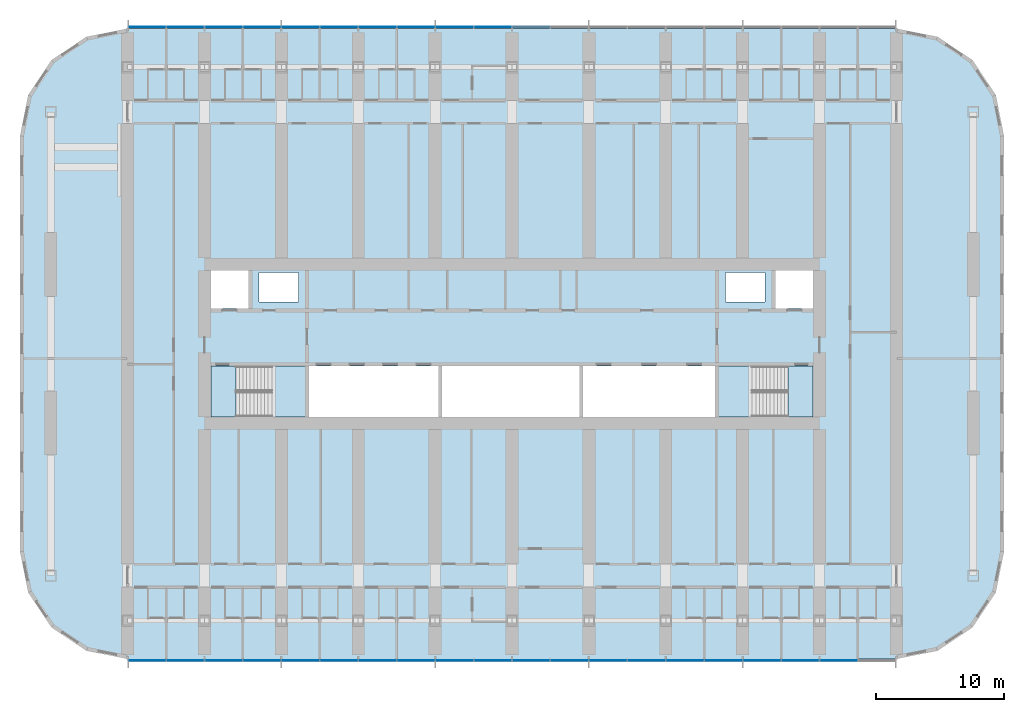
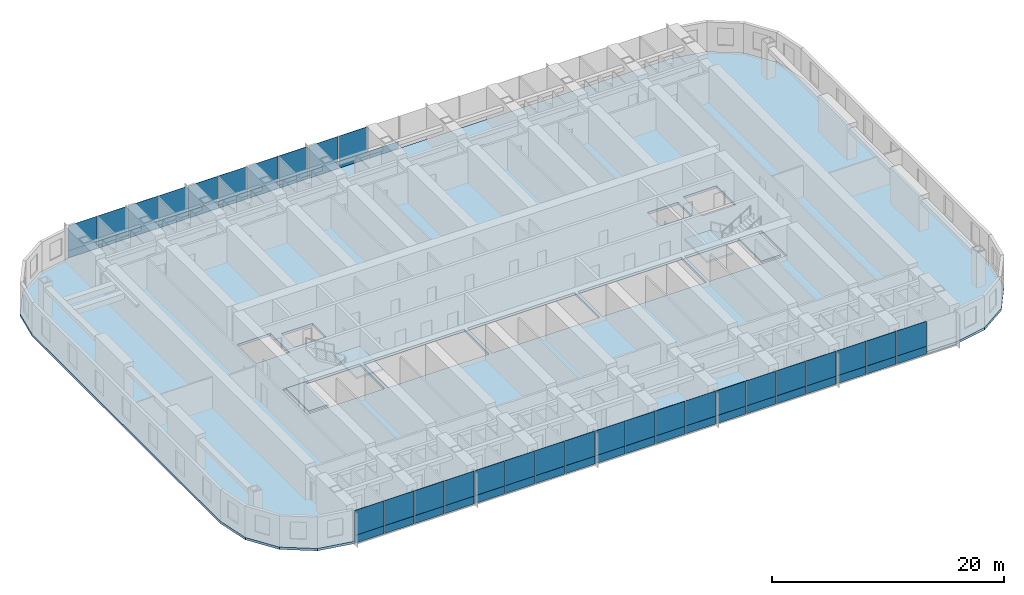
# One storey, part 8 of 24: 59 plates, 5 slabs, 4 elements without a shape of their own.
"""IFC4 building model written with IfcOpenShell, lengths in metres."""

from ifc_helpers import new_model, si_unit, direction, frame, origin, origin_2d, place, context, subcontext, project, spatial, polyline, rectangle, outline, extrude, material, layer, layer_set, type_object, element, aggregate, save


model = new_model("IFC4")

# Units and contexts
model_context = context("Model", 3, precision=1e-05, world=origin(), true_north=direction((0.0, 1.0)))
body_context = subcontext(model_context, "Body", "Model", "MODEL_VIEW")
ifc_project = project(units=[si_unit("LENGTHUNIT", "METRE"), si_unit("AREAUNIT", "SQUARE_METRE"), si_unit("VOLUMEUNIT", "CUBIC_METRE"), si_unit("PLANEANGLEUNIT", "RADIAN"), si_unit("MASSUNIT", "GRAM", prefix="KILO")], contexts=[model_context])

# Site, building, storey
site_placement = place(None, origin())
site = spatial("IfcSite", under=ifc_project, at=site_placement, CompositionType="ELEMENT")
building_placement = place(site_placement, origin())
building = spatial("IfcBuilding", under=site, at=building_placement, Name="Orbita Commons", CompositionType="ELEMENT")
storey_placement = place(building_placement, frame((0.0, 0.0, 35.199951171875)))
storey = spatial("IfcBuildingStorey", under=building, at=storey_placement, Name="L08", CompositionType="ELEMENT", Elevation=35.199951171875)

# Slab
ifc_material_1 = material(Name="Concrete C40/50", Category="concrete")
ifc_layer_1 = layer(ifc_material_1, 0.25)
ifc_layer_set_1 = layer_set([ifc_layer_1], Name="Concrete C40/50")
slab_type_1 = type_object("IfcSlabType", Name="Floor slab 250", PredefinedType="FLOOR", material=ifc_layer_set_1)
slab_1_placement = place(storey_placement, frame((0.0, 0.0, -0.25)))
element("IfcSlab", 1, at=slab_1_placement, inside=storey, type_object=slab_type_1, Name="Floor slab L08", PredefinedType="FLOOR", context=body_context, shape_type="SweptSolid", body=[
    extrude(outline(polyline([(72.0, 7.39990234375), (75.214599609375, 8.039306640625), (77.939697265625, 9.8603515625), (79.760498046875, 12.58544921875), (80.39990234375, 15.800048828125), (80.39990234375, 48.199951171875), (79.760498046875, 51.41455078125), (77.939697265625, 54.1396484375), (75.214599609375, 55.960693359375), (72.0, 56.60009765625), (12.0, 56.60009765625), (8.785400390625, 55.960693359375), (6.060302734375, 54.1396484375), (4.239501953125, 51.41455078125), (3.60009765625, 48.199951171875), (3.60009765625, 15.800048828125), (4.239501953125, 12.58544921875), (6.060302734375, 9.8603515625), (8.785400390625, 8.039306640625), (12.0, 7.39990234375), (72.0, 7.39990234375)]), holes=[polyline([(18.14990234375, 25.949951171875), (25.85009765625, 25.949951171875), (25.85009765625, 30.25), (18.14990234375, 30.25), (18.14990234375, 25.949951171875)]), polyline([(58.14990234375, 25.949951171875), (65.85009765625, 25.949951171875), (65.85009765625, 30.25), (58.14990234375, 30.25), (58.14990234375, 25.949951171875)]), polyline([(18.14990234375, 34.75), (21.449951171875, 34.75), (21.449951171875, 38.050048828125), (18.14990234375, 38.050048828125), (18.14990234375, 34.75)]), polyline([(62.550048828125, 34.75), (65.85009765625, 34.75), (65.85009765625, 38.050048828125), (62.550048828125, 38.050048828125), (62.550048828125, 34.75)]), polyline([(22.25, 35.25), (25.35009765625, 35.25), (25.35009765625, 37.550048828125), (22.25, 37.550048828125), (22.25, 35.25)]), polyline([(58.64990234375, 35.25), (61.75, 35.25), (61.75, 37.550048828125), (58.64990234375, 37.550048828125), (58.64990234375, 35.25)]), polyline([(26.14990234375, 25.949951171875), (36.25, 25.949951171875), (36.25, 30.25), (26.14990234375, 30.25), (26.14990234375, 25.949951171875)]), polyline([(36.550048828125, 25.949951171875), (47.25, 25.949951171875), (47.25, 30.25), (36.550048828125, 30.25), (36.550048828125, 25.949951171875)]), polyline([(47.550048828125, 25.949951171875), (57.85009765625, 25.949951171875), (57.85009765625, 30.25), (47.550048828125, 30.25), (47.550048828125, 25.949951171875)])]), origin(), (0.0, 0.0, 1.0), 0.25),
])

# Curtain wall, plates
ifc_material_2 = material(Name="Anodised aluminium frame, pale silver", Category="aluminium")
curtain_wall_type = type_object("IfcCurtainWallType", Name="Unitised curtain wall CW-T, vision and spandrel", PredefinedType="NOTDEFINED", material=ifc_material_2)
curtain_wall_1_placement = place(storey_placement, origin())
curtain_wall_1 = element("IfcCurtainWall", 2, at=curtain_wall_1_placement, inside=storey, type_object=curtain_wall_type, Name="Curtain wall south L08", PredefinedType="NOTDEFINED")
ifc_material_3 = material(Name="Anodised aluminium sheet on mineral wool", Category="aluminium")
ifc_layer_2 = layer(ifc_material_3, 0.050048828125)
ifc_layer_set_2 = layer_set([ifc_layer_2], Name="Anodised aluminium sheet on mineral wool")
plate_type_1 = type_object("IfcPlateType", Name="Spandrel panel, pale aluminium over insulation 50", PredefinedType="CURTAIN_PANEL", material=ifc_layer_set_2)
plate_1_placement = place(storey_placement, frame((13.52001953125, 7.2900390625, -0.14990234375), z_axis=(0.0, 0.0, 1.0), x_axis=(1.0, 0.0, 0.0)))
plate_1 = element("IfcPlate", 3, at=plate_1_placement, type_object=plate_type_1, Name="Panel 1.1 CW-L08-S", PredefinedType="CURTAIN_PANEL", context=body_context, shape_type="SweptSolid", body=[
    extrude(rectangle(XDim=2.8798828125, YDim=0.050048828125, at=origin_2d()), origin(), (0.0, 0.0, 1.0), 0.822998046875),
])
plate_2_placement = place(storey_placement, frame((16.5, 7.2900390625, -0.14990234375), z_axis=(0.0, 0.0, 1.0), x_axis=(1.0, 0.0, 0.0)))
plate_2 = element("IfcPlate", 4, at=plate_2_placement, type_object=plate_type_1, Name="Panel 2.1 CW-L08-S", PredefinedType="CURTAIN_PANEL", context=body_context, shape_type="SweptSolid", body=[
    extrude(rectangle(XDim=2.919921875, YDim=0.050048828125, at=origin_2d()), origin(), (0.0, 0.0, 1.0), 0.822998046875),
])
plate_3_placement = place(storey_placement, frame((19.5, 7.2900390625, -0.14990234375), z_axis=(0.0, 0.0, 1.0), x_axis=(1.0, 0.0, 0.0)))
plate_3 = element("IfcPlate", 5, at=plate_3_placement, type_object=plate_type_1, Name="Panel 3.1 CW-L08-S", PredefinedType="CURTAIN_PANEL", context=body_context, shape_type="SweptSolid", body=[
    extrude(rectangle(XDim=2.919921875, YDim=0.050048828125, at=origin_2d()), origin(), (0.0, 0.0, 1.0), 0.822998046875),
])
plate_4_placement = place(storey_placement, frame((22.5, 7.2900390625, -0.14990234375), z_axis=(0.0, 0.0, 1.0), x_axis=(1.0, 0.0, 0.0)))
plate_4 = element("IfcPlate", 6, at=plate_4_placement, type_object=plate_type_1, Name="Panel 4.1 CW-L08-S", PredefinedType="CURTAIN_PANEL", context=body_context, shape_type="SweptSolid", body=[
    extrude(rectangle(XDim=2.919921875, YDim=0.050048828125, at=origin_2d()), origin(), (0.0, 0.0, 1.0), 0.822998046875),
])
plate_5_placement = place(storey_placement, frame((25.5, 7.2900390625, -0.14990234375), z_axis=(0.0, 0.0, 1.0), x_axis=(1.0, 0.0, 0.0)))
plate_5 = element("IfcPlate", 7, at=plate_5_placement, type_object=plate_type_1, Name="Panel 5.1 CW-L08-S", PredefinedType="CURTAIN_PANEL", context=body_context, shape_type="SweptSolid", body=[
    extrude(rectangle(XDim=2.919921875, YDim=0.050048828125, at=origin_2d()), origin(), (0.0, 0.0, 1.0), 0.822998046875),
])
plate_6_placement = place(storey_placement, frame((28.5, 7.2900390625, -0.14990234375), z_axis=(0.0, 0.0, 1.0), x_axis=(1.0, 0.0, 0.0)))
plate_6 = element("IfcPlate", 8, at=plate_6_placement, type_object=plate_type_1, Name="Panel 6.1 CW-L08-S", PredefinedType="CURTAIN_PANEL", context=body_context, shape_type="SweptSolid", body=[
    extrude(rectangle(XDim=2.919921875, YDim=0.050048828125, at=origin_2d()), origin(), (0.0, 0.0, 1.0), 0.822998046875),
])
plate_7_placement = place(storey_placement, frame((31.5, 7.2900390625, -0.14990234375), z_axis=(0.0, 0.0, 1.0), x_axis=(1.0, 0.0, 0.0)))
plate_7 = element("IfcPlate", 9, at=plate_7_placement, type_object=plate_type_1, Name="Panel 7.1 CW-L08-S", PredefinedType="CURTAIN_PANEL", context=body_context, shape_type="SweptSolid", body=[
    extrude(rectangle(XDim=2.919921875, YDim=0.050048828125, at=origin_2d()), origin(), (0.0, 0.0, 1.0), 0.822998046875),
])
plate_8_placement = place(storey_placement, frame((34.5, 7.2900390625, -0.14990234375), z_axis=(0.0, 0.0, 1.0), x_axis=(1.0, 0.0, 0.0)))
plate_8 = element("IfcPlate", 10, at=plate_8_placement, type_object=plate_type_1, Name="Panel 8.1 CW-L08-S", PredefinedType="CURTAIN_PANEL", context=body_context, shape_type="SweptSolid", body=[
    extrude(rectangle(XDim=2.919921875, YDim=0.050048828125, at=origin_2d()), origin(), (0.0, 0.0, 1.0), 0.822998046875),
])
plate_9_placement = place(storey_placement, frame((37.5, 7.2900390625, -0.14990234375), z_axis=(0.0, 0.0, 1.0), x_axis=(1.0, 0.0, 0.0)))
plate_9 = element("IfcPlate", 11, at=plate_9_placement, type_object=plate_type_1, Name="Panel 9.1 CW-L08-S", PredefinedType="CURTAIN_PANEL", context=body_context, shape_type="SweptSolid", body=[
    extrude(rectangle(XDim=2.919921875, YDim=0.050048828125, at=origin_2d()), origin(), (0.0, 0.0, 1.0), 0.822998046875),
])
plate_10_placement = place(storey_placement, frame((40.5, 7.2900390625, -0.14990234375), z_axis=(0.0, 0.0, 1.0), x_axis=(1.0, 0.0, 0.0)))
plate_10 = element("IfcPlate", 12, at=plate_10_placement, type_object=plate_type_1, Name="Panel 10.1 CW-L08-S", PredefinedType="CURTAIN_PANEL", context=body_context, shape_type="SweptSolid", body=[
    extrude(rectangle(XDim=2.919921875, YDim=0.050048828125, at=origin_2d()), origin(), (0.0, 0.0, 1.0), 0.822998046875),
])
plate_11_placement = place(storey_placement, frame((43.5, 7.2900390625, -0.14990234375), z_axis=(0.0, 0.0, 1.0), x_axis=(1.0, 0.0, 0.0)))
plate_11 = element("IfcPlate", 13, at=plate_11_placement, type_object=plate_type_1, Name="Panel 11.1 CW-L08-S", PredefinedType="CURTAIN_PANEL", context=body_context, shape_type="SweptSolid", body=[
    extrude(rectangle(XDim=2.919921875, YDim=0.050048828125, at=origin_2d()), origin(), (0.0, 0.0, 1.0), 0.822998046875),
])
plate_12_placement = place(storey_placement, frame((46.5, 7.2900390625, -0.14990234375), z_axis=(0.0, 0.0, 1.0), x_axis=(1.0, 0.0, 0.0)))
plate_12 = element("IfcPlate", 14, at=plate_12_placement, type_object=plate_type_1, Name="Panel 12.1 CW-L08-S", PredefinedType="CURTAIN_PANEL", context=body_context, shape_type="SweptSolid", body=[
    extrude(rectangle(XDim=2.919921875, YDim=0.050048828125, at=origin_2d()), origin(), (0.0, 0.0, 1.0), 0.822998046875),
])
plate_13_placement = place(storey_placement, frame((49.5, 7.2900390625, -0.14990234375), z_axis=(0.0, 0.0, 1.0), x_axis=(1.0, 0.0, 0.0)))
plate_13 = element("IfcPlate", 15, at=plate_13_placement, type_object=plate_type_1, Name="Panel 13.1 CW-L08-S", PredefinedType="CURTAIN_PANEL", context=body_context, shape_type="SweptSolid", body=[
    extrude(rectangle(XDim=2.919921875, YDim=0.050048828125, at=origin_2d()), origin(), (0.0, 0.0, 1.0), 0.822998046875),
])
plate_14_placement = place(storey_placement, frame((52.5, 7.2900390625, -0.14990234375), z_axis=(0.0, 0.0, 1.0), x_axis=(1.0, 0.0, 0.0)))
plate_14 = element("IfcPlate", 16, at=plate_14_placement, type_object=plate_type_1, Name="Panel 14.1 CW-L08-S", PredefinedType="CURTAIN_PANEL", context=body_context, shape_type="SweptSolid", body=[
    extrude(rectangle(XDim=2.919921875, YDim=0.050048828125, at=origin_2d()), origin(), (0.0, 0.0, 1.0), 0.822998046875),
])
plate_15_placement = place(storey_placement, frame((55.5, 7.2900390625, -0.14990234375), z_axis=(0.0, 0.0, 1.0), x_axis=(1.0, 0.0, 0.0)))
plate_15 = element("IfcPlate", 17, at=plate_15_placement, type_object=plate_type_1, Name="Panel 15.1 CW-L08-S", PredefinedType="CURTAIN_PANEL", context=body_context, shape_type="SweptSolid", body=[
    extrude(rectangle(XDim=2.919921875, YDim=0.050048828125, at=origin_2d()), origin(), (0.0, 0.0, 1.0), 0.822998046875),
])
plate_16_placement = place(storey_placement, frame((58.5, 7.2900390625, -0.14990234375), z_axis=(0.0, 0.0, 1.0), x_axis=(1.0, 0.0, 0.0)))
plate_16 = element("IfcPlate", 18, at=plate_16_placement, type_object=plate_type_1, Name="Panel 16.1 CW-L08-S", PredefinedType="CURTAIN_PANEL", context=body_context, shape_type="SweptSolid", body=[
    extrude(rectangle(XDim=2.919921875, YDim=0.050048828125, at=origin_2d()), origin(), (0.0, 0.0, 1.0), 0.822998046875),
])
plate_17_placement = place(storey_placement, frame((61.5, 7.2900390625, -0.14990234375), z_axis=(0.0, 0.0, 1.0), x_axis=(1.0, 0.0, 0.0)))
plate_17 = element("IfcPlate", 19, at=plate_17_placement, type_object=plate_type_1, Name="Panel 17.1 CW-L08-S", PredefinedType="CURTAIN_PANEL", context=body_context, shape_type="SweptSolid", body=[
    extrude(rectangle(XDim=2.919921875, YDim=0.050048828125, at=origin_2d()), origin(), (0.0, 0.0, 1.0), 0.822998046875),
])
plate_18_placement = place(storey_placement, frame((64.5, 7.2900390625, -0.14990234375), z_axis=(0.0, 0.0, 1.0), x_axis=(1.0, 0.0, 0.0)))
plate_18 = element("IfcPlate", 20, at=plate_18_placement, type_object=plate_type_1, Name="Panel 18.1 CW-L08-S", PredefinedType="CURTAIN_PANEL", context=body_context, shape_type="SweptSolid", body=[
    extrude(rectangle(XDim=2.919921875, YDim=0.050048828125, at=origin_2d()), origin(), (0.0, 0.0, 1.0), 0.822998046875),
])
plate_19_placement = place(storey_placement, frame((67.5, 7.2900390625, -0.14990234375), z_axis=(0.0, 0.0, 1.0), x_axis=(1.0, 0.0, 0.0)))
plate_19 = element("IfcPlate", 21, at=plate_19_placement, type_object=plate_type_1, Name="Panel 19.1 CW-L08-S", PredefinedType="CURTAIN_PANEL", context=body_context, shape_type="SweptSolid", body=[
    extrude(rectangle(XDim=2.919921875, YDim=0.050048828125, at=origin_2d()), origin(), (0.0, 0.0, 1.0), 0.822998046875),
])

curtain_wall_2_placement = place(storey_placement, origin())
curtain_wall_2 = element("IfcCurtainWall", 22, at=curtain_wall_2_placement, inside=storey, type_object=curtain_wall_type, Name="Curtain wall north L08", PredefinedType="NOTDEFINED")
plate_20_placement = place(storey_placement, frame((43.5, 56.7099609375, -0.14990234375), z_axis=(0.0, 0.0, 1.0), x_axis=(-1.0, 0.0, 0.0)))
plate_20 = element("IfcPlate", 23, at=plate_20_placement, type_object=plate_type_1, Name="Panel 10.1 CW-L08-N", PredefinedType="CURTAIN_PANEL", context=body_context, shape_type="SweptSolid", body=[
    extrude(rectangle(XDim=2.919921875, YDim=0.050048828125, at=origin_2d()), origin(), (0.0, 0.0, 1.0), 0.822998046875),
])
plate_21_placement = place(storey_placement, frame((40.5, 56.7099609375, -0.14990234375), z_axis=(0.0, 0.0, 1.0), x_axis=(-1.0, 0.0, 0.0)))
plate_21 = element("IfcPlate", 24, at=plate_21_placement, type_object=plate_type_1, Name="Panel 11.1 CW-L08-N", PredefinedType="CURTAIN_PANEL", context=body_context, shape_type="SweptSolid", body=[
    extrude(rectangle(XDim=2.919921875, YDim=0.050048828125, at=origin_2d()), origin(), (0.0, 0.0, 1.0), 0.822998046875),
])
plate_22_placement = place(storey_placement, frame((37.5, 56.7099609375, -0.14990234375), z_axis=(0.0, 0.0, 1.0), x_axis=(-1.0, 0.0, 0.0)))
plate_22 = element("IfcPlate", 25, at=plate_22_placement, type_object=plate_type_1, Name="Panel 12.1 CW-L08-N", PredefinedType="CURTAIN_PANEL", context=body_context, shape_type="SweptSolid", body=[
    extrude(rectangle(XDim=2.919921875, YDim=0.050048828125, at=origin_2d()), origin(), (0.0, 0.0, 1.0), 0.822998046875),
])
plate_23_placement = place(storey_placement, frame((34.5, 56.7099609375, -0.14990234375), z_axis=(0.0, 0.0, 1.0), x_axis=(-1.0, 0.0, 0.0)))
plate_23 = element("IfcPlate", 26, at=plate_23_placement, type_object=plate_type_1, Name="Panel 13.1 CW-L08-N", PredefinedType="CURTAIN_PANEL", context=body_context, shape_type="SweptSolid", body=[
    extrude(rectangle(XDim=2.919921875, YDim=0.050048828125, at=origin_2d()), origin(), (0.0, 0.0, 1.0), 0.822998046875),
])
plate_24_placement = place(storey_placement, frame((31.5, 56.7099609375, -0.14990234375), z_axis=(0.0, 0.0, 1.0), x_axis=(-1.0, 0.0, 0.0)))
plate_24 = element("IfcPlate", 27, at=plate_24_placement, type_object=plate_type_1, Name="Panel 14.1 CW-L08-N", PredefinedType="CURTAIN_PANEL", context=body_context, shape_type="SweptSolid", body=[
    extrude(rectangle(XDim=2.919921875, YDim=0.050048828125, at=origin_2d()), origin(), (0.0, 0.0, 1.0), 0.822998046875),
])
plate_25_placement = place(storey_placement, frame((28.5, 56.7099609375, -0.14990234375), z_axis=(0.0, 0.0, 1.0), x_axis=(-1.0, 0.0, 0.0)))
plate_25 = element("IfcPlate", 28, at=plate_25_placement, type_object=plate_type_1, Name="Panel 15.1 CW-L08-N", PredefinedType="CURTAIN_PANEL", context=body_context, shape_type="SweptSolid", body=[
    extrude(rectangle(XDim=2.919921875, YDim=0.050048828125, at=origin_2d()), origin(), (0.0, 0.0, 1.0), 0.822998046875),
])
plate_26_placement = place(storey_placement, frame((25.5, 56.7099609375, -0.14990234375), z_axis=(0.0, 0.0, 1.0), x_axis=(-1.0, 0.0, 0.0)))
plate_26 = element("IfcPlate", 29, at=plate_26_placement, type_object=plate_type_1, Name="Panel 16.1 CW-L08-N", PredefinedType="CURTAIN_PANEL", context=body_context, shape_type="SweptSolid", body=[
    extrude(rectangle(XDim=2.919921875, YDim=0.050048828125, at=origin_2d()), origin(), (0.0, 0.0, 1.0), 0.822998046875),
])
plate_27_placement = place(storey_placement, frame((22.5, 56.7099609375, -0.14990234375), z_axis=(0.0, 0.0, 1.0), x_axis=(-1.0, 0.0, 0.0)))
plate_27 = element("IfcPlate", 30, at=plate_27_placement, type_object=plate_type_1, Name="Panel 17.1 CW-L08-N", PredefinedType="CURTAIN_PANEL", context=body_context, shape_type="SweptSolid", body=[
    extrude(rectangle(XDim=2.919921875, YDim=0.050048828125, at=origin_2d()), origin(), (0.0, 0.0, 1.0), 0.822998046875),
])
plate_28_placement = place(storey_placement, frame((19.5, 56.7099609375, -0.14990234375), z_axis=(0.0, 0.0, 1.0), x_axis=(-1.0, 0.0, 0.0)))
plate_28 = element("IfcPlate", 31, at=plate_28_placement, type_object=plate_type_1, Name="Panel 18.1 CW-L08-N", PredefinedType="CURTAIN_PANEL", context=body_context, shape_type="SweptSolid", body=[
    extrude(rectangle(XDim=2.919921875, YDim=0.050048828125, at=origin_2d()), origin(), (0.0, 0.0, 1.0), 0.822998046875),
])
plate_29_placement = place(storey_placement, frame((16.5, 56.7099609375, -0.14990234375), z_axis=(0.0, 0.0, 1.0), x_axis=(-1.0, 0.0, 0.0)))
plate_29 = element("IfcPlate", 32, at=plate_29_placement, type_object=plate_type_1, Name="Panel 19.1 CW-L08-N", PredefinedType="CURTAIN_PANEL", context=body_context, shape_type="SweptSolid", body=[
    extrude(rectangle(XDim=2.919921875, YDim=0.050048828125, at=origin_2d()), origin(), (0.0, 0.0, 1.0), 0.822998046875),
])
plate_30_placement = place(storey_placement, frame((13.52001953125, 56.7099609375, -0.14990234375), z_axis=(0.0, 0.0, 1.0), x_axis=(-1.0, 0.0, 0.0)))
plate_30 = element("IfcPlate", 33, at=plate_30_placement, type_object=plate_type_1, Name="Panel 20.1 CW-L08-N", PredefinedType="CURTAIN_PANEL", context=body_context, shape_type="SweptSolid", body=[
    extrude(rectangle(XDim=2.8798828125, YDim=0.050048828125, at=origin_2d()), origin(), (0.0, 0.0, 1.0), 0.822998046875),
])

# Stair, slabs
ifc_material_4 = material(Name="Precast concrete C40/50", Category="concrete")
stair_type_1 = type_object("IfcStairType", Name="Exit stair S1 2 flights 11 risers 170", PredefinedType="HALF_TURN_STAIR", material=ifc_material_4)
stair_1_placement = place(storey_placement, origin())
stair_1 = element("IfcStair", 34, at=stair_1_placement, inside=storey, type_object=stair_type_1, Name="Exit stair S1 L08", PredefinedType="HALF_TURN_STAIR")
ifc_material_5 = material(Name="Concrete C40/50", Category="concrete")
ifc_layer_3 = layer(ifc_material_5, 0.199951171875)
ifc_layer_set_3 = layer_set([ifc_layer_3], Name="Concrete C40/50")
slab_type_2 = type_object("IfcSlabType", Name="Stair landing 200", PredefinedType="LANDING", material=ifc_layer_set_3)
slab_2_placement = place(storey_placement, frame((0.0, 0.0, -0.199951171875)))
slab_2 = element("IfcSlab", 35, at=slab_2_placement, type_object=slab_type_2, Name="S1 landing 1", PredefinedType="LANDING", context=body_context, shape_type="SweptSolid", body=[
    extrude(outline(polyline([(18.5, 26.300048828125), (20.449951171875, 26.300048828125), (20.449951171875, 30.25), (18.5, 30.25), (18.5, 26.300048828125)])), origin(), (0.0, 0.0, 1.0), 0.199951171875),
])
slab_3_placement = place(storey_placement, frame((0.0, 0.0, 1.675048828125)))
slab_3 = element("IfcSlab", 36, at=slab_3_placement, type_object=slab_type_2, Name="S1 landing 2", PredefinedType="LANDING", context=body_context, shape_type="SweptSolid", body=[
    extrude(outline(polyline([(23.25, 26.284912109375), (25.864990234375, 26.284912109375), (25.864990234375, 30.264892578125), (23.25, 30.264892578125), (23.25, 26.284912109375)])), origin(), (0.0, 0.0, 1.0), 0.199951171875),
])
aggregate(stair_1, [slab_2, slab_3])

ifc_material_6 = material(Name="Precast concrete C40/50", Category="concrete")
stair_type_2 = type_object("IfcStairType", Name="Exit stair S2 2 flights 11 risers 170", PredefinedType="HALF_TURN_STAIR", material=ifc_material_6)
stair_2_placement = place(storey_placement, origin())
stair_2 = element("IfcStair", 37, at=stair_2_placement, inside=storey, type_object=stair_type_2, Name="Exit stair S2 L08", PredefinedType="HALF_TURN_STAIR")
slab_4_placement = place(storey_placement, frame((0.0, 0.0, -0.199951171875)))
slab_4 = element("IfcSlab", 38, at=slab_4_placement, type_object=slab_type_2, Name="S2 landing 1", PredefinedType="LANDING", context=body_context, shape_type="SweptSolid", body=[
    extrude(outline(polyline([(63.550048828125, 26.300048828125), (65.5, 26.300048828125), (65.5, 30.25), (63.550048828125, 30.25), (63.550048828125, 26.300048828125)])), origin(), (0.0, 0.0, 1.0), 0.199951171875),
])
slab_5_placement = place(storey_placement, frame((0.0, 0.0, 1.675048828125)))
slab_5 = element("IfcSlab", 39, at=slab_5_placement, type_object=slab_type_2, Name="S2 landing 2", PredefinedType="LANDING", context=body_context, shape_type="SweptSolid", body=[
    extrude(outline(polyline([(58.135009765625, 26.284912109375), (60.75, 26.284912109375), (60.75, 30.264892578125), (58.135009765625, 30.264892578125), (58.135009765625, 26.284912109375)])), origin(), (0.0, 0.0, 1.0), 0.199951171875),
])
aggregate(stair_2, [slab_4, slab_5])

# Plate
ifc_material_7 = material(Name="Clear double glazing", Category="glass")
ifc_layer_4 = layer(ifc_material_7, 0.031982421875)
ifc_layer_set_4 = layer_set([ifc_layer_4], Name="Clear double glazing")
plate_type_2 = type_object("IfcPlateType", Name="Vision panel, clear double glazing 32", PredefinedType="CURTAIN_PANEL", material=ifc_layer_set_4)
plate_31_placement = place(storey_placement, frame((13.52001953125, 7.2900390625, 0.673095703125), z_axis=(0.0, 0.0, 1.0), x_axis=(1.0, 0.0, 0.0)))
plate_31 = element("IfcPlate", 40, at=plate_31_placement, type_object=plate_type_2, Name="Panel 1.2 CW-L08-S", PredefinedType="CURTAIN_PANEL", context=body_context, shape_type="SweptSolid", body=[
    extrude(rectangle(XDim=2.8798828125, YDim=0.031982421875, at=origin_2d()), origin(), (0.0, 0.0, 1.0), 2.626953125),
])

plate_32_placement = place(storey_placement, frame((16.5, 7.2900390625, 0.673095703125), z_axis=(0.0, 0.0, 1.0), x_axis=(1.0, 0.0, 0.0)))
plate_32 = element("IfcPlate", 41, at=plate_32_placement, type_object=plate_type_2, Name="Panel 2.2 CW-L08-S", PredefinedType="CURTAIN_PANEL", context=body_context, shape_type="SweptSolid", body=[
    extrude(rectangle(XDim=2.919921875, YDim=0.031982421875, at=origin_2d()), origin(), (0.0, 0.0, 1.0), 2.626953125),
])

plate_33_placement = place(storey_placement, frame((19.5, 7.2900390625, 0.673095703125), z_axis=(0.0, 0.0, 1.0), x_axis=(1.0, 0.0, 0.0)))
plate_33 = element("IfcPlate", 42, at=plate_33_placement, type_object=plate_type_2, Name="Panel 3.2 CW-L08-S", PredefinedType="CURTAIN_PANEL", context=body_context, shape_type="SweptSolid", body=[
    extrude(rectangle(XDim=2.919921875, YDim=0.031982421875, at=origin_2d()), origin(), (0.0, 0.0, 1.0), 2.626953125),
])

plate_34_placement = place(storey_placement, frame((22.5, 7.2900390625, 0.673095703125), z_axis=(0.0, 0.0, 1.0), x_axis=(1.0, 0.0, 0.0)))
plate_34 = element("IfcPlate", 43, at=plate_34_placement, type_object=plate_type_2, Name="Panel 4.2 CW-L08-S", PredefinedType="CURTAIN_PANEL", context=body_context, shape_type="SweptSolid", body=[
    extrude(rectangle(XDim=2.919921875, YDim=0.031982421875, at=origin_2d()), origin(), (0.0, 0.0, 1.0), 2.626953125),
])

plate_35_placement = place(storey_placement, frame((25.5, 7.2900390625, 0.673095703125), z_axis=(0.0, 0.0, 1.0), x_axis=(1.0, 0.0, 0.0)))
plate_35 = element("IfcPlate", 44, at=plate_35_placement, type_object=plate_type_2, Name="Panel 5.2 CW-L08-S", PredefinedType="CURTAIN_PANEL", context=body_context, shape_type="SweptSolid", body=[
    extrude(rectangle(XDim=2.919921875, YDim=0.031982421875, at=origin_2d()), origin(), (0.0, 0.0, 1.0), 2.626953125),
])

plate_36_placement = place(storey_placement, frame((28.5, 7.2900390625, 0.673095703125), z_axis=(0.0, 0.0, 1.0), x_axis=(1.0, 0.0, 0.0)))
plate_36 = element("IfcPlate", 45, at=plate_36_placement, type_object=plate_type_2, Name="Panel 6.2 CW-L08-S", PredefinedType="CURTAIN_PANEL", context=body_context, shape_type="SweptSolid", body=[
    extrude(rectangle(XDim=2.919921875, YDim=0.031982421875, at=origin_2d()), origin(), (0.0, 0.0, 1.0), 2.626953125),
])

plate_37_placement = place(storey_placement, frame((31.5, 7.2900390625, 0.673095703125), z_axis=(0.0, 0.0, 1.0), x_axis=(1.0, 0.0, 0.0)))
plate_37 = element("IfcPlate", 46, at=plate_37_placement, type_object=plate_type_2, Name="Panel 7.2 CW-L08-S", PredefinedType="CURTAIN_PANEL", context=body_context, shape_type="SweptSolid", body=[
    extrude(rectangle(XDim=2.919921875, YDim=0.031982421875, at=origin_2d()), origin(), (0.0, 0.0, 1.0), 2.626953125),
])

plate_38_placement = place(storey_placement, frame((34.5, 7.2900390625, 0.673095703125), z_axis=(0.0, 0.0, 1.0), x_axis=(1.0, 0.0, 0.0)))
plate_38 = element("IfcPlate", 47, at=plate_38_placement, type_object=plate_type_2, Name="Panel 8.2 CW-L08-S", PredefinedType="CURTAIN_PANEL", context=body_context, shape_type="SweptSolid", body=[
    extrude(rectangle(XDim=2.919921875, YDim=0.031982421875, at=origin_2d()), origin(), (0.0, 0.0, 1.0), 2.626953125),
])

plate_39_placement = place(storey_placement, frame((37.5, 7.2900390625, 0.673095703125), z_axis=(0.0, 0.0, 1.0), x_axis=(1.0, 0.0, 0.0)))
plate_39 = element("IfcPlate", 48, at=plate_39_placement, type_object=plate_type_2, Name="Panel 9.2 CW-L08-S", PredefinedType="CURTAIN_PANEL", context=body_context, shape_type="SweptSolid", body=[
    extrude(rectangle(XDim=2.919921875, YDim=0.031982421875, at=origin_2d()), origin(), (0.0, 0.0, 1.0), 2.626953125),
])

plate_40_placement = place(storey_placement, frame((40.5, 7.2900390625, 0.673095703125), z_axis=(0.0, 0.0, 1.0), x_axis=(1.0, 0.0, 0.0)))
plate_40 = element("IfcPlate", 49, at=plate_40_placement, type_object=plate_type_2, Name="Panel 10.2 CW-L08-S", PredefinedType="CURTAIN_PANEL", context=body_context, shape_type="SweptSolid", body=[
    extrude(rectangle(XDim=2.919921875, YDim=0.031982421875, at=origin_2d()), origin(), (0.0, 0.0, 1.0), 2.626953125),
])

plate_41_placement = place(storey_placement, frame((43.5, 7.2900390625, 0.673095703125), z_axis=(0.0, 0.0, 1.0), x_axis=(1.0, 0.0, 0.0)))
plate_41 = element("IfcPlate", 50, at=plate_41_placement, type_object=plate_type_2, Name="Panel 11.2 CW-L08-S", PredefinedType="CURTAIN_PANEL", context=body_context, shape_type="SweptSolid", body=[
    extrude(rectangle(XDim=2.919921875, YDim=0.031982421875, at=origin_2d()), origin(), (0.0, 0.0, 1.0), 2.626953125),
])

plate_42_placement = place(storey_placement, frame((46.5, 7.2900390625, 0.673095703125), z_axis=(0.0, 0.0, 1.0), x_axis=(1.0, 0.0, 0.0)))
plate_42 = element("IfcPlate", 51, at=plate_42_placement, type_object=plate_type_2, Name="Panel 12.2 CW-L08-S", PredefinedType="CURTAIN_PANEL", context=body_context, shape_type="SweptSolid", body=[
    extrude(rectangle(XDim=2.919921875, YDim=0.031982421875, at=origin_2d()), origin(), (0.0, 0.0, 1.0), 2.626953125),
])

plate_43_placement = place(storey_placement, frame((49.5, 7.2900390625, 0.673095703125), z_axis=(0.0, 0.0, 1.0), x_axis=(1.0, 0.0, 0.0)))
plate_43 = element("IfcPlate", 52, at=plate_43_placement, type_object=plate_type_2, Name="Panel 13.2 CW-L08-S", PredefinedType="CURTAIN_PANEL", context=body_context, shape_type="SweptSolid", body=[
    extrude(rectangle(XDim=2.919921875, YDim=0.031982421875, at=origin_2d()), origin(), (0.0, 0.0, 1.0), 2.626953125),
])

plate_44_placement = place(storey_placement, frame((52.5, 7.2900390625, 0.673095703125), z_axis=(0.0, 0.0, 1.0), x_axis=(1.0, 0.0, 0.0)))
plate_44 = element("IfcPlate", 53, at=plate_44_placement, type_object=plate_type_2, Name="Panel 14.2 CW-L08-S", PredefinedType="CURTAIN_PANEL", context=body_context, shape_type="SweptSolid", body=[
    extrude(rectangle(XDim=2.919921875, YDim=0.031982421875, at=origin_2d()), origin(), (0.0, 0.0, 1.0), 2.626953125),
])

plate_45_placement = place(storey_placement, frame((55.5, 7.2900390625, 0.673095703125), z_axis=(0.0, 0.0, 1.0), x_axis=(1.0, 0.0, 0.0)))
plate_45 = element("IfcPlate", 54, at=plate_45_placement, type_object=plate_type_2, Name="Panel 15.2 CW-L08-S", PredefinedType="CURTAIN_PANEL", context=body_context, shape_type="SweptSolid", body=[
    extrude(rectangle(XDim=2.919921875, YDim=0.031982421875, at=origin_2d()), origin(), (0.0, 0.0, 1.0), 2.626953125),
])

plate_46_placement = place(storey_placement, frame((58.5, 7.2900390625, 0.673095703125), z_axis=(0.0, 0.0, 1.0), x_axis=(1.0, 0.0, 0.0)))
plate_46 = element("IfcPlate", 55, at=plate_46_placement, type_object=plate_type_2, Name="Panel 16.2 CW-L08-S", PredefinedType="CURTAIN_PANEL", context=body_context, shape_type="SweptSolid", body=[
    extrude(rectangle(XDim=2.919921875, YDim=0.031982421875, at=origin_2d()), origin(), (0.0, 0.0, 1.0), 2.626953125),
])

plate_47_placement = place(storey_placement, frame((61.5, 7.2900390625, 0.673095703125), z_axis=(0.0, 0.0, 1.0), x_axis=(1.0, 0.0, 0.0)))
plate_47 = element("IfcPlate", 56, at=plate_47_placement, type_object=plate_type_2, Name="Panel 17.2 CW-L08-S", PredefinedType="CURTAIN_PANEL", context=body_context, shape_type="SweptSolid", body=[
    extrude(rectangle(XDim=2.919921875, YDim=0.031982421875, at=origin_2d()), origin(), (0.0, 0.0, 1.0), 2.626953125),
])

plate_48_placement = place(storey_placement, frame((64.5, 7.2900390625, 0.673095703125), z_axis=(0.0, 0.0, 1.0), x_axis=(1.0, 0.0, 0.0)))
plate_48 = element("IfcPlate", 57, at=plate_48_placement, type_object=plate_type_2, Name="Panel 18.2 CW-L08-S", PredefinedType="CURTAIN_PANEL", context=body_context, shape_type="SweptSolid", body=[
    extrude(rectangle(XDim=2.919921875, YDim=0.031982421875, at=origin_2d()), origin(), (0.0, 0.0, 1.0), 2.626953125),
])

plate_49_placement = place(storey_placement, frame((67.5, 7.2900390625, 0.673095703125), z_axis=(0.0, 0.0, 1.0), x_axis=(1.0, 0.0, 0.0)))
plate_49 = element("IfcPlate", 58, at=plate_49_placement, type_object=plate_type_2, Name="Panel 19.2 CW-L08-S", PredefinedType="CURTAIN_PANEL", context=body_context, shape_type="SweptSolid", body=[
    extrude(rectangle(XDim=2.919921875, YDim=0.031982421875, at=origin_2d()), origin(), (0.0, 0.0, 1.0), 2.626953125),
])

aggregate(curtain_wall_1, [plate_1, plate_31, plate_2, plate_32, plate_3, plate_33, plate_4, plate_34, plate_5, plate_35, plate_6, plate_36, plate_7, plate_37, plate_8, plate_38, plate_9, plate_39, plate_10, plate_40, plate_11, plate_41, plate_12, plate_42, plate_13, plate_43, plate_14, plate_44, plate_15, plate_45, plate_16, plate_46, plate_17, plate_47, plate_18, plate_48, plate_19, plate_49])

plate_50_placement = place(storey_placement, frame((40.5, 56.7099609375, 0.673095703125), z_axis=(0.0, 0.0, 1.0), x_axis=(-1.0, 0.0, 0.0)))
plate_50 = element("IfcPlate", 59, at=plate_50_placement, type_object=plate_type_2, Name="Panel 11.2 CW-L08-N", PredefinedType="CURTAIN_PANEL", context=body_context, shape_type="SweptSolid", body=[
    extrude(rectangle(XDim=2.919921875, YDim=0.031982421875, at=origin_2d()), origin(), (0.0, 0.0, 1.0), 2.626953125),
])

plate_51_placement = place(storey_placement, frame((37.5, 56.7099609375, 0.673095703125), z_axis=(0.0, 0.0, 1.0), x_axis=(-1.0, 0.0, 0.0)))
plate_51 = element("IfcPlate", 60, at=plate_51_placement, type_object=plate_type_2, Name="Panel 12.2 CW-L08-N", PredefinedType="CURTAIN_PANEL", context=body_context, shape_type="SweptSolid", body=[
    extrude(rectangle(XDim=2.919921875, YDim=0.031982421875, at=origin_2d()), origin(), (0.0, 0.0, 1.0), 2.626953125),
])

plate_52_placement = place(storey_placement, frame((34.5, 56.7099609375, 0.673095703125), z_axis=(0.0, 0.0, 1.0), x_axis=(-1.0, 0.0, 0.0)))
plate_52 = element("IfcPlate", 61, at=plate_52_placement, type_object=plate_type_2, Name="Panel 13.2 CW-L08-N", PredefinedType="CURTAIN_PANEL", context=body_context, shape_type="SweptSolid", body=[
    extrude(rectangle(XDim=2.919921875, YDim=0.031982421875, at=origin_2d()), origin(), (0.0, 0.0, 1.0), 2.626953125),
])

plate_53_placement = place(storey_placement, frame((31.5, 56.7099609375, 0.673095703125), z_axis=(0.0, 0.0, 1.0), x_axis=(-1.0, 0.0, 0.0)))
plate_53 = element("IfcPlate", 62, at=plate_53_placement, type_object=plate_type_2, Name="Panel 14.2 CW-L08-N", PredefinedType="CURTAIN_PANEL", context=body_context, shape_type="SweptSolid", body=[
    extrude(rectangle(XDim=2.919921875, YDim=0.031982421875, at=origin_2d()), origin(), (0.0, 0.0, 1.0), 2.626953125),
])

plate_54_placement = place(storey_placement, frame((28.5, 56.7099609375, 0.673095703125), z_axis=(0.0, 0.0, 1.0), x_axis=(-1.0, 0.0, 0.0)))
plate_54 = element("IfcPlate", 63, at=plate_54_placement, type_object=plate_type_2, Name="Panel 15.2 CW-L08-N", PredefinedType="CURTAIN_PANEL", context=body_context, shape_type="SweptSolid", body=[
    extrude(rectangle(XDim=2.919921875, YDim=0.031982421875, at=origin_2d()), origin(), (0.0, 0.0, 1.0), 2.626953125),
])

plate_55_placement = place(storey_placement, frame((25.5, 56.7099609375, 0.673095703125), z_axis=(0.0, 0.0, 1.0), x_axis=(-1.0, 0.0, 0.0)))
plate_55 = element("IfcPlate", 64, at=plate_55_placement, type_object=plate_type_2, Name="Panel 16.2 CW-L08-N", PredefinedType="CURTAIN_PANEL", context=body_context, shape_type="SweptSolid", body=[
    extrude(rectangle(XDim=2.919921875, YDim=0.031982421875, at=origin_2d()), origin(), (0.0, 0.0, 1.0), 2.626953125),
])

plate_56_placement = place(storey_placement, frame((22.5, 56.7099609375, 0.673095703125), z_axis=(0.0, 0.0, 1.0), x_axis=(-1.0, 0.0, 0.0)))
plate_56 = element("IfcPlate", 65, at=plate_56_placement, type_object=plate_type_2, Name="Panel 17.2 CW-L08-N", PredefinedType="CURTAIN_PANEL", context=body_context, shape_type="SweptSolid", body=[
    extrude(rectangle(XDim=2.919921875, YDim=0.031982421875, at=origin_2d()), origin(), (0.0, 0.0, 1.0), 2.626953125),
])

plate_57_placement = place(storey_placement, frame((19.5, 56.7099609375, 0.673095703125), z_axis=(0.0, 0.0, 1.0), x_axis=(-1.0, 0.0, 0.0)))
plate_57 = element("IfcPlate", 66, at=plate_57_placement, type_object=plate_type_2, Name="Panel 18.2 CW-L08-N", PredefinedType="CURTAIN_PANEL", context=body_context, shape_type="SweptSolid", body=[
    extrude(rectangle(XDim=2.919921875, YDim=0.031982421875, at=origin_2d()), origin(), (0.0, 0.0, 1.0), 2.626953125),
])

plate_58_placement = place(storey_placement, frame((16.5, 56.7099609375, 0.673095703125), z_axis=(0.0, 0.0, 1.0), x_axis=(-1.0, 0.0, 0.0)))
plate_58 = element("IfcPlate", 67, at=plate_58_placement, type_object=plate_type_2, Name="Panel 19.2 CW-L08-N", PredefinedType="CURTAIN_PANEL", context=body_context, shape_type="SweptSolid", body=[
    extrude(rectangle(XDim=2.919921875, YDim=0.031982421875, at=origin_2d()), origin(), (0.0, 0.0, 1.0), 2.626953125),
])

plate_59_placement = place(storey_placement, frame((13.52001953125, 56.7099609375, 0.673095703125), z_axis=(0.0, 0.0, 1.0), x_axis=(-1.0, 0.0, 0.0)))
plate_59 = element("IfcPlate", 68, at=plate_59_placement, type_object=plate_type_2, Name="Panel 20.2 CW-L08-N", PredefinedType="CURTAIN_PANEL", context=body_context, shape_type="SweptSolid", body=[
    extrude(rectangle(XDim=2.8798828125, YDim=0.031982421875, at=origin_2d()), origin(), (0.0, 0.0, 1.0), 2.626953125),
])

aggregate(curtain_wall_2, [plate_20, plate_21, plate_50, plate_22, plate_51, plate_23, plate_52, plate_24, plate_53, plate_25, plate_54, plate_26, plate_55, plate_27, plate_56, plate_28, plate_57, plate_29, plate_58, plate_30, plate_59])

save(model, "model.ifc")
